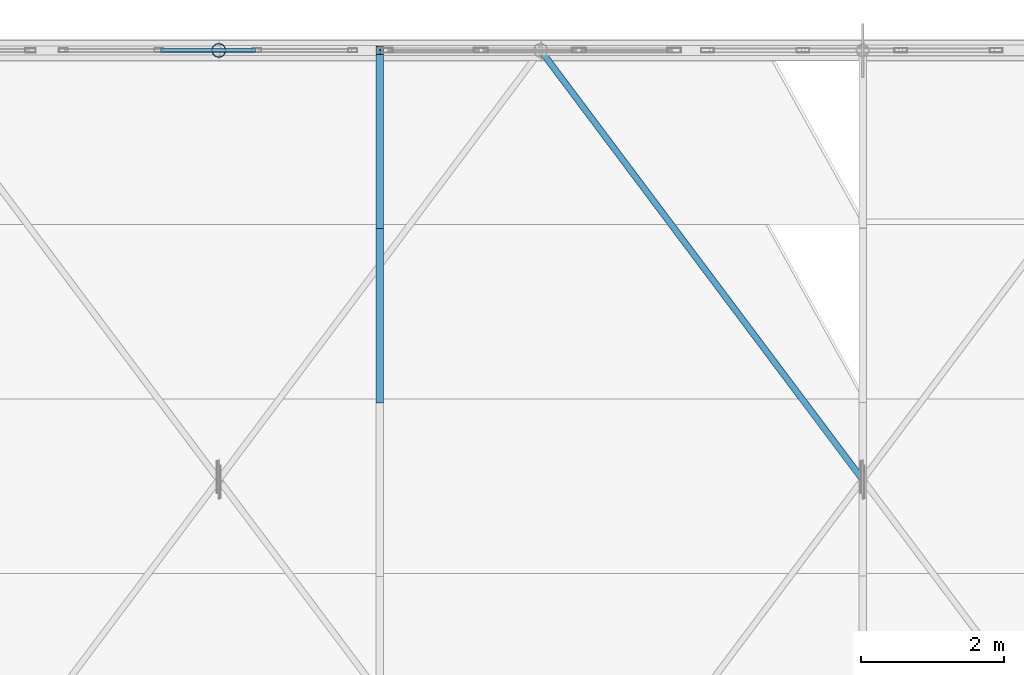
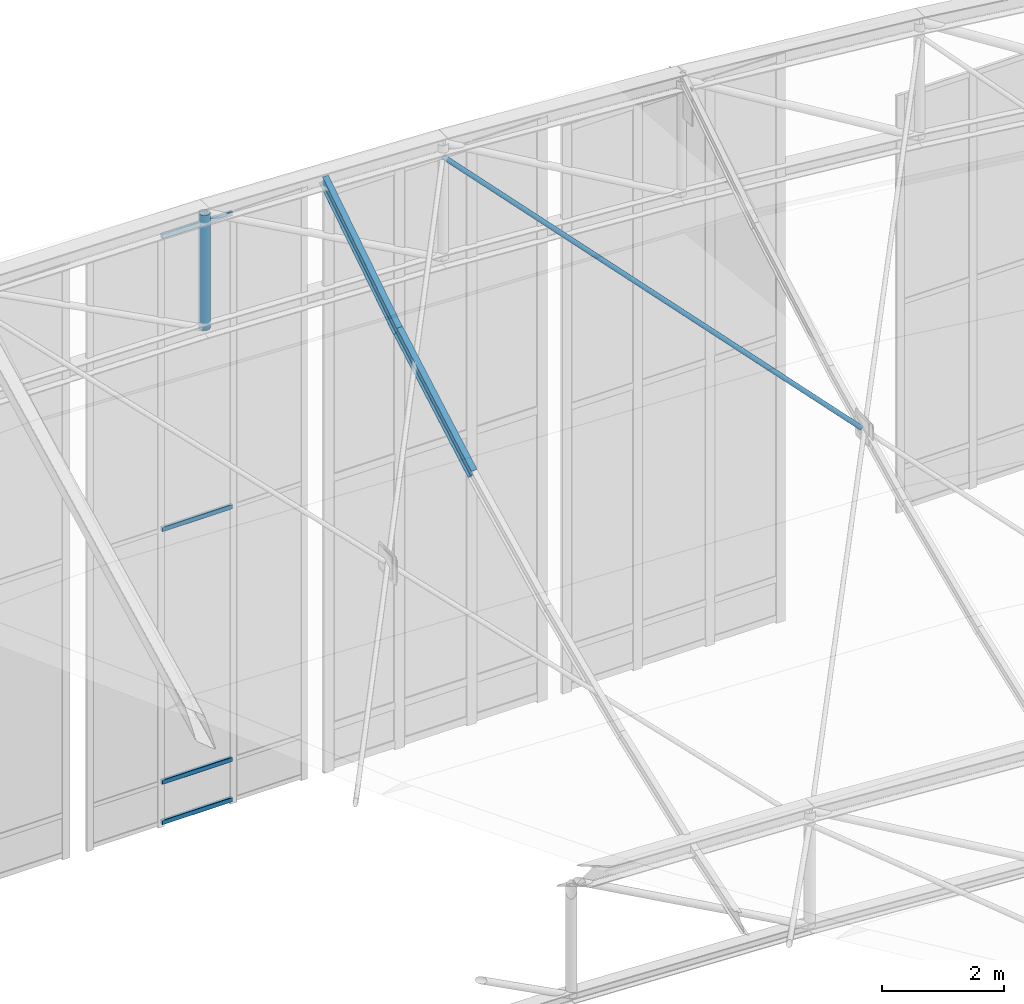
# One storey, part 195 of 262: 8 members, 1 element without a shape of its own.
"""IFC4 building model written with IfcOpenShell, lengths in metres."""

from ifc_helpers import new_model, si_unit, derived_unit, direction, frame, origin, origin_2d, place, context, subcontext, project, spatial, hollow_rectangle, hollow_circle, i_section, extrude, material, layer, layer_set, material_profile, profile_set, type_object, element, aggregate, save


model = new_model("IFC4")

# Units and contexts
model_context = context("Model", 3, precision=1e-05, world=origin(), true_north=direction((0.0, 1.0)))
body_context = subcontext(model_context, "Body", "Model", "MODEL_VIEW")
ifc_project = project(units=[si_unit("LENGTHUNIT", "METRE"), si_unit("AREAUNIT", "SQUARE_METRE"), si_unit("VOLUMEUNIT", "CUBIC_METRE"), si_unit("PLANEANGLEUNIT", "RADIAN"), si_unit("MASSUNIT", "GRAM", prefix="KILO"), derived_unit("THERMALTRANSMITTANCEUNIT", [(si_unit("POWERUNIT", "WATT"), 1), (si_unit("LENGTHUNIT", "METRE"), -2), (si_unit("THERMODYNAMICTEMPERATUREUNIT", "KELVIN"), -1)])], contexts=[model_context])

# Site, building, storey
site_placement = place(None, origin())
site = spatial("IfcSite", under=ifc_project, at=site_placement, CompositionType="ELEMENT")
building_placement = place(site_placement, origin())
building = spatial("IfcBuilding", under=site, at=building_placement, Name="Almenara Railside Exhibition Hall", CompositionType="ELEMENT")
storey_placement = place(building_placement, frame((0.0, 0.0, 21.699951171875)))
storey = spatial("IfcBuildingStorey", under=building, at=storey_placement, Name="RF", CompositionType="ELEMENT", Elevation=21.699951171875)

# Member
ifc_material_1 = material(Name="Structural steel S355JR", Category="steel")
ifc_material_profile_1 = material_profile(ifc_material_1, hollow_circle(Radius=0.04443359375, WallThickness=0.00390625, at=origin_2d()), Name="CHS 88.9x4")
ifc_profile_set_1 = profile_set([ifc_material_profile_1], Name="Structural steel S355JR")
member_type_1 = type_object("IfcMemberType", Name="Canopy Tie Brace CHS 88.9x4 S355JR", PredefinedType="BRACE", material=ifc_profile_set_1)
member_1_placement = place(storey_placement, frame((52.473388671875, 126.035400390625, 7.199462890625), z_axis=(-0.546566390287, 0.728765130224, 0.412512504026), x_axis=(-0.800003929436, -0.599994760716, 0.0)))
element("IfcMember", 1, at=member_1_placement, inside=storey, type_object=member_type_1, Name="MEM-WB-V1-WB-CHS89-06-08-S2", PredefinedType="BRACE", context=body_context, shape_type="SweptSolid", body=[
    extrude(hollow_circle(Radius=0.04443359375, WallThickness=0.00390625, at=origin_2d()), origin(), (0.0, 0.0, 1.0), 8.1845703125),
])

# Curtain wall, members
ifc_material_2 = material(Name="Bronze-anodised aluminium and low-E double glazing", Category="aluminium")
ifc_layer = layer(ifc_material_2, 0.179931640625, Name="Bronze-anodised aluminium and low-E double glazing")
ifc_layer_set = layer_set([ifc_layer], Name="Bronze-anodised aluminium and low-E double glazing")
curtain_wall_type = type_object("IfcCurtainWallType", Name="Scroll Gable Tall Curtain Wall 3800x5400", PredefinedType="NOTDEFINED", material=ifc_layer_set)
curtain_wall_placement = place(storey_placement, origin())
curtain_wall = element("IfcCurtainWall", 2, at=curtain_wall_placement, inside=storey, type_object=curtain_wall_type, Name="Curtain wall CW-G1-211", PredefinedType="NOTDEFINED")
ifc_material_3 = material(Name="Bronze-anodised aluminium", Category="aluminium")
ifc_material_profile_2 = material_profile(ifc_material_3, hollow_rectangle(XDim=0.054931640625, YDim=0.090087890625, WallThickness=0.0029296875, InnerFilletRadius=0.0029296875, OuterFilletRadius=0.006103515625, at=origin_2d()), Name="ALU-TRN 55x90x3")
ifc_profile_set_2 = profile_set([ifc_material_profile_2], Name="Bronze-anodised aluminium")
member_type_2 = type_object("IfcMemberType", Name="Curtain Wall Transom 55x90x3", PredefinedType="USERDEFINED", material=ifc_profile_set_2)
member_2_placement = place(storey_placement, frame((42.686279296875, 132.0, -0.85498046875), z_axis=(1.0, 0.0, 0.0), x_axis=(0.0, 1.0, 0.0)))
member_2 = element("IfcMember", 3, at=member_2_placement, type_object=member_type_2, Name="CW-G1-211 transom 2.1", ObjectType="TRANSOM", PredefinedType="USERDEFINED", context=body_context, shape_type="SweptSolid", body=[
    extrude(hollow_rectangle(XDim=0.054931640625, YDim=0.090087890625, WallThickness=0.0029296875, InnerFilletRadius=0.0029296875, OuterFilletRadius=0.006103515625, at=origin_2d()), origin(), (0.0, 0.0, 1.0), 1.32763671875),
])
member_3_placement = place(storey_placement, frame((42.686279296875, 132.0, -0.050048828125), z_axis=(1.0, 0.0, 0.0), x_axis=(0.0, 1.0, 0.0)))
member_3 = element("IfcMember", 4, at=member_3_placement, type_object=member_type_2, Name="CW-G1-211 transom 2.2", ObjectType="TRANSOM", PredefinedType="USERDEFINED", context=body_context, shape_type="SweptSolid", body=[
    extrude(hollow_rectangle(XDim=0.054931640625, YDim=0.090087890625, WallThickness=0.0029296875, InnerFilletRadius=0.0029296875, OuterFilletRadius=0.006103515625, at=origin_2d()), origin(), (0.0, 0.0, 1.0), 1.32763671875),
])
member_4_placement = place(storey_placement, frame((42.686279296875, 132.0, 4.9951171875), z_axis=(1.0, 0.0, 0.0), x_axis=(0.0, 1.0, 0.0)))
member_4 = element("IfcMember", 5, at=member_4_placement, type_object=member_type_2, Name="CW-G1-211 transom 2.3", ObjectType="TRANSOM", PredefinedType="USERDEFINED", context=body_context, shape_type="SweptSolid", body=[
    extrude(hollow_rectangle(XDim=0.054931640625, YDim=0.090087890625, WallThickness=0.0029296875, InnerFilletRadius=0.0029296875, OuterFilletRadius=0.006103515625, at=origin_2d()), origin(), (0.0, 0.0, 1.0), 1.32763671875),
])
member_5_placement = place(storey_placement, frame((42.686279296875, 132.0, 10.844970703125), z_axis=(1.0, 0.0, 0.0), x_axis=(0.0, 1.0, 0.0)))
member_5 = element("IfcMember", 6, at=member_5_placement, type_object=member_type_2, Name="CW-G1-211 transom 2.4", ObjectType="TRANSOM", PredefinedType="USERDEFINED", context=body_context, shape_type="SweptSolid", body=[
    extrude(hollow_rectangle(XDim=0.054931640625, YDim=0.090087890625, WallThickness=0.0029296875, InnerFilletRadius=0.0029296875, OuterFilletRadius=0.006103515625, at=origin_2d()), origin(), (0.0, 0.0, 1.0), 1.32763671875),
])
aggregate(curtain_wall, [member_2, member_3, member_4, member_5])

# Members
ifc_material_profile_3 = material_profile(ifc_material_1, i_section(OverallWidth=0.110107421875, OverallDepth=0.219970703125, WebThickness=0.005859375, FlangeThickness=0.00927734375, FilletRadius=0.011962890625, at=origin_2d()), Name="IPE 220")
ifc_profile_set_3 = profile_set([ifc_material_profile_3], Name="Structural steel S355JR")
member_type_3 = type_object("IfcMemberType", Name="Heavy Hall Roof Purlin IPE 220 S355JR", PredefinedType="PURLIN", material=ifc_profile_set_3)
member_6_placement = place(storey_placement, frame((45.75, 127.126708984375, 7.98974609375), z_axis=(0.0, 0.870483227181, 0.492198081261), x_axis=(-1.0, 0.0, 0.0)))
element("IfcMember", 7, at=member_6_placement, inside=storey, type_object=member_type_3, Name="MEM-PR-V1-PR-IPE220-05-26", PredefinedType="PURLIN", context=body_context, shape_type="SweptSolid", body=[
    extrude(i_section(OverallWidth=0.110107421875, OverallDepth=0.219970703125, WebThickness=0.005859375, FlangeThickness=0.00927734375, FilletRadius=0.011962890625, at=origin_2d()), origin(), (0.0, 0.0, 1.0), 2.799072265625),
])
member_7_placement = place(storey_placement, frame((45.75, 129.563232421875, 9.3564453125), z_axis=(0.0, 0.842265270347, 0.53906327492), x_axis=(-1.0, 0.0, 0.0)))
element("IfcMember", 8, at=member_7_placement, inside=storey, type_object=member_type_3, Name="MEM-PR-V1-PR-IPE220-05-27", PredefinedType="PURLIN", context=body_context, shape_type="SweptSolid", body=[
    extrude(i_section(OverallWidth=0.110107421875, OverallDepth=0.219970703125, WebThickness=0.005859375, FlangeThickness=0.00927734375, FilletRadius=0.011962890625, at=origin_2d()), origin(), (0.0, 0.0, 1.0), 2.89306640625),
])
ifc_material_profile_4 = material_profile(ifc_material_1, hollow_circle(Radius=0.096923828125, WallThickness=0.00634765625, at=origin_2d()), Name="CHS 193.7x6.3")
ifc_profile_set_4 = profile_set([ifc_material_profile_4], Name="Structural steel S355JR")
member_type_4 = type_object("IfcMemberType", Name="Truss Standard Vertical Strut CHS 193.7x6.3 S355JR", PredefinedType="BRACE", material=ifc_profile_set_4)
member_8_placement = place(storey_placement, frame((43.5, 132.0, 8.739013671875), z_axis=(0.0, 0.0, 1.0), x_axis=(1.0, 0.0, 0.0)))
element("IfcMember", 9, at=member_8_placement, inside=storey, type_object=member_type_4, Name="MEM-TV-V1-07-07", PredefinedType="BRACE", context=body_context, shape_type="SweptSolid", body=[
    extrude(hollow_circle(Radius=0.096923828125, WallThickness=0.00634765625, at=origin_2d()), origin(), (0.0, 0.0, 1.0), 2.2998046875),
])

save(model, "model.ifc")
